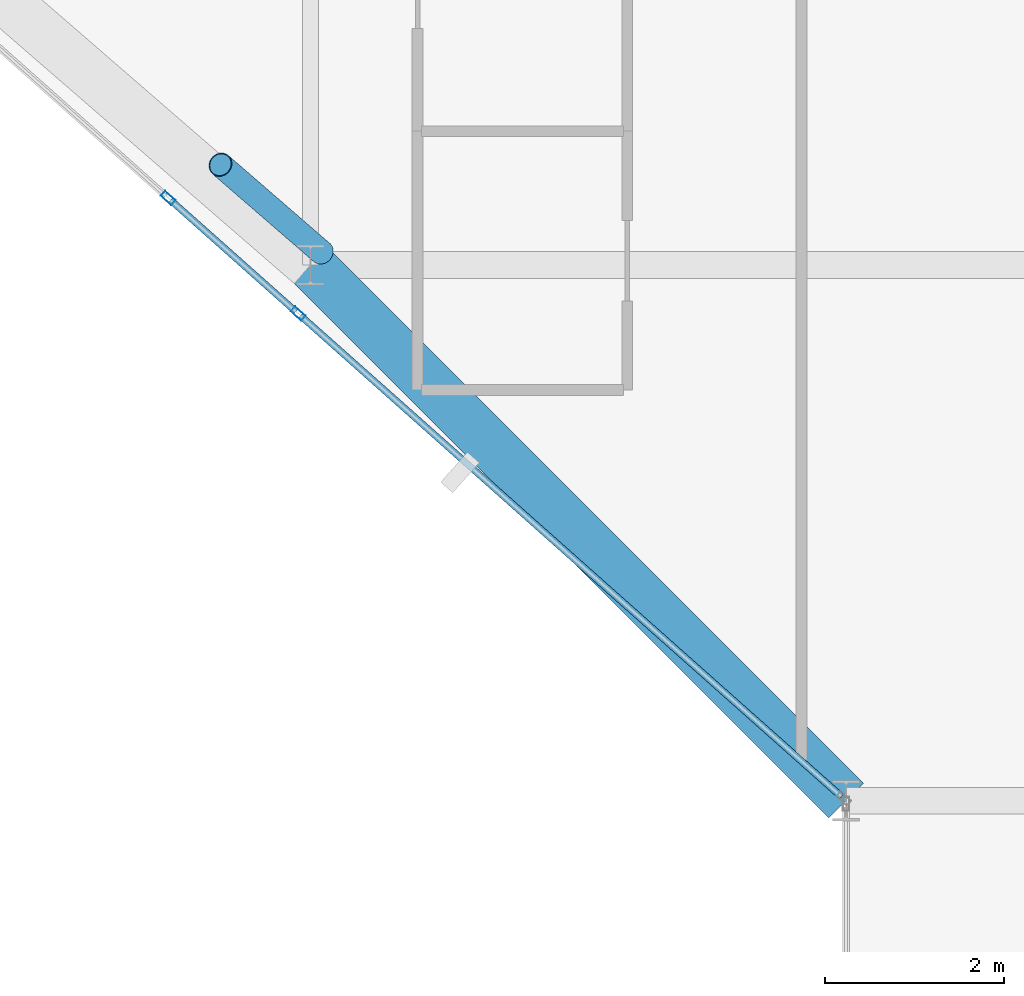
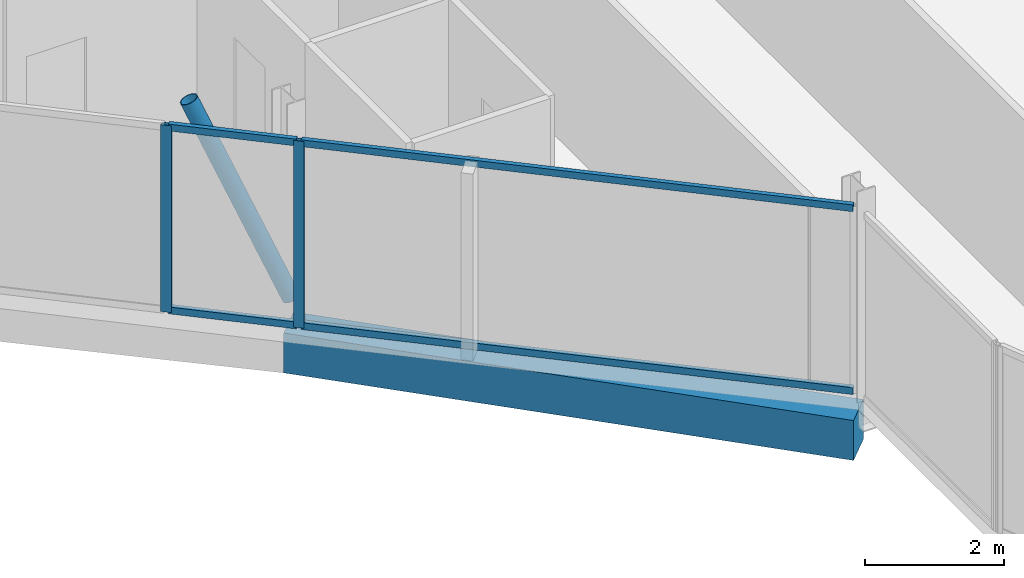
# One storey, part 4 of 28: 7 members, 1 beam, 2 elements without a shape of their own.
"""IFC4 building model written with IfcOpenShell, lengths in metres."""

from ifc_helpers import new_model, si_unit, direction, frame, origin, origin_2d, place, context, subcontext, project, spatial, rectangle, hollow_rectangle, hollow_circle, extrude, material, layer, layer_set, material_profile, profile_set, type_object, element, aggregate, save


model = new_model("IFC4")

# Units and contexts
model_context = context("Model", 3, precision=1e-05, world=origin(), true_north=direction((0.0, 1.0)))
body_context = subcontext(model_context, "Body", "Model", "MODEL_VIEW")
ifc_project = project(units=[si_unit("LENGTHUNIT", "METRE"), si_unit("AREAUNIT", "SQUARE_METRE"), si_unit("VOLUMEUNIT", "CUBIC_METRE"), si_unit("PLANEANGLEUNIT", "RADIAN"), si_unit("MASSUNIT", "GRAM", prefix="KILO")], contexts=[model_context])

# Site, building, storey
site_placement = place(None, origin())
site = spatial("IfcSite", under=ifc_project, at=site_placement, CompositionType="ELEMENT")
building_placement = place(site_placement, origin())
building = spatial("IfcBuilding", under=site, at=building_placement, Name="Keshet Zoharim Tower", CompositionType="ELEMENT")
storey_placement = place(building_placement, frame((0.0, 0.0, 233.89990234375)))
storey = spatial("IfcBuildingStorey", under=building, at=storey_placement, Name="L58", CompositionType="ELEMENT", Elevation=233.89990234375)

# Beam
ifc_material_1 = material(Name="Concrete C50/60", Category="concrete")
ifc_material_profile_1 = material_profile(ifc_material_1, rectangle(XDim=0.550048828125, YDim=0.699951171875, at=origin_2d()), Name="RC700x550")
ifc_profile_set_1 = profile_set([ifc_material_profile_1], Name="Concrete C50/60")
beam_type = type_object("IfcBeamType", Name="BM-SPN-700", PredefinedType="SPANDREL", material=ifc_profile_set_1)
beam_placement = place(storey_placement, frame((21.0, 6.699951171875, -0.659912109375), z_axis=(-0.707106781187, 0.707106781187, 0.0), x_axis=(-0.707106781187, -0.707106781187, 0.0)))
element("IfcBeam", 1, at=beam_placement, inside=storey, type_object=beam_type, Name="L58 Perimeter Spandrel Beam 01", PredefinedType="SPANDREL", context=body_context, shape_type="SweptSolid", body=[
    extrude(rectangle(XDim=0.550048828125, YDim=0.699951171875, at=origin_2d()), origin(), (0.0, 0.0, 1.0), 8.4853515625),
])

# Curtain wall, member
ifc_material_2 = material(Name="Aluminium 6063-T6", Category="aluminium")
ifc_layer = layer(ifc_material_2, 0.139892578125)
ifc_layer_set = layer_set([ifc_layer], Name="Aluminium 6063-T6")
curtain_wall_type = type_object("IfcCurtainWallType", Name="CW-SYS-05", PredefinedType="NOTDEFINED", material=ifc_layer_set)
curtain_wall_1_placement = place(storey_placement, origin())
curtain_wall_1 = element("IfcCurtainWall", 2, at=curtain_wall_1_placement, inside=storey, type_object=curtain_wall_type, Name="L58 Unitised Curtain Wall 10", PredefinedType="NOTDEFINED")
ifc_material_profile_2 = material_profile(ifc_material_2, hollow_rectangle(XDim=0.074951171875, YDim=0.159912109375, WallThickness=0.00390625, at=origin_2d()), Name="MUL-75x160")
ifc_profile_set_2 = profile_set([ifc_material_profile_2], Name="Aluminium 6063-T6")
member_type_1 = type_object("IfcMemberType", Name="CWM-M15", PredefinedType="MULLION", material=ifc_profile_set_2)
member_1_placement = place(storey_placement, frame((14.862548828125, 12.155517578125, 0.0), z_axis=(0.0, 0.0, 1.0), x_axis=(-0.664366849455, -0.747406642562, 0.0)))
member_1 = element("IfcMember", 3, at=member_1_placement, type_object=member_type_1, Name="CW-05 mullion 2", PredefinedType="MULLION", context=body_context, shape_type="SweptSolid", body=[
    extrude(hollow_rectangle(XDim=0.074951171875, YDim=0.159912109375, WallThickness=0.00390625, at=origin_2d()), origin(), (0.0, 0.0, 1.0), 3.280029296875),
])

curtain_wall_2_placement = place(storey_placement, origin())
curtain_wall_2 = element("IfcCurtainWall", 4, at=curtain_wall_2_placement, inside=storey, type_object=curtain_wall_type, Name="L58 Unitised Curtain Wall 10 Part 2", PredefinedType="NOTDEFINED")
member_2_placement = place(storey_placement, frame((13.40625, 13.449951171875, 0.0), z_axis=(0.0, 0.0, 1.0), x_axis=(-0.6643351656, -0.747434805014, 0.0)))
member_2 = element("IfcMember", 5, at=member_2_placement, type_object=member_type_1, Name="CW-05 mullion 2", PredefinedType="MULLION", context=body_context, shape_type="SweptSolid", body=[
    extrude(hollow_rectangle(XDim=0.074951171875, YDim=0.159912109375, WallThickness=0.00390625, at=origin_2d()), origin(), (0.0, 0.0, 1.0), 3.280029296875),
])

# Member
ifc_material_profile_3 = material_profile(ifc_material_2, hollow_rectangle(XDim=0.074951171875, YDim=0.1201171875, WallThickness=0.00390625, at=origin_2d()), Name="TRN-75x120")
ifc_profile_set_3 = profile_set([ifc_material_profile_3], Name="Aluminium 6063-T6")
member_type_2 = type_object("IfcMemberType", Name="CWT-T12", PredefinedType="USERDEFINED", material=ifc_profile_set_3)
member_3_placement = place(storey_placement, frame((20.94775390625, 6.74658203125, 0.03515625), z_axis=(-0.74741596491, 0.66435636175, 0.0), x_axis=(-0.66435636175, -0.74741596491, 0.0)))
member_3 = element("IfcMember", 6, at=member_3_placement, type_object=member_type_2, Name="CW-05 transom 1.1", ObjectType="TRANSOM", PredefinedType="USERDEFINED", context=body_context, shape_type="SweptSolid", body=[
    extrude(hollow_rectangle(XDim=0.074951171875, YDim=0.1201171875, WallThickness=0.00390625, at=origin_2d()), origin(), (0.0, 0.0, 1.0), 8.106689453125),
])

member_4_placement = place(storey_placement, frame((20.94775390625, 6.74658203125, 3.2451171875), z_axis=(-0.74741596491, 0.66435636175, 0.0), x_axis=(-0.66435636175, -0.74741596491, 0.0)))
member_4 = element("IfcMember", 7, at=member_4_placement, type_object=member_type_2, Name="CW-05 transom 1.2", ObjectType="TRANSOM", PredefinedType="USERDEFINED", context=body_context, shape_type="SweptSolid", body=[
    extrude(hollow_rectangle(XDim=0.074951171875, YDim=0.1201171875, WallThickness=0.00390625, at=origin_2d()), origin(), (0.0, 0.0, 1.0), 8.106689453125),
])

aggregate(curtain_wall_1, [member_1, member_3, member_4])

member_5_placement = place(storey_placement, frame((14.83642578125, 12.1787109375, 0.03515625), z_axis=(-0.747416490253, 0.664355770727, 0.0), x_axis=(-0.664355770727, -0.747416490253, 0.0)))
member_5 = element("IfcMember", 8, at=member_5_placement, type_object=member_type_2, Name="CW-05 transom 1.1", ObjectType="TRANSOM", PredefinedType="USERDEFINED", context=body_context, shape_type="SweptSolid", body=[
    extrude(hollow_rectangle(XDim=0.074951171875, YDim=0.1201171875, WallThickness=0.00390625, at=origin_2d()), origin(), (0.0, 0.0, 1.0), 1.878173828125),
])

member_6_placement = place(storey_placement, frame((14.83642578125, 12.1787109375, 3.2451171875), z_axis=(-0.747416490253, 0.664355770727, 0.0), x_axis=(-0.664355770727, -0.747416490253, 0.0)))
member_6 = element("IfcMember", 9, at=member_6_placement, type_object=member_type_2, Name="CW-05 transom 1.2", ObjectType="TRANSOM", PredefinedType="USERDEFINED", context=body_context, shape_type="SweptSolid", body=[
    extrude(hollow_rectangle(XDim=0.074951171875, YDim=0.1201171875, WallThickness=0.00390625, at=origin_2d()), origin(), (0.0, 0.0, 1.0), 1.878173828125),
])

aggregate(curtain_wall_2, [member_2, member_5, member_6])

ifc_material_3 = material(Name="Steel S355", Category="steel")
ifc_material_profile_4 = material_profile(ifc_material_3, hollow_circle(Radius=0.136474609375, WallThickness=0.010009765625, at=origin_2d()), Name="CHS273x10")
ifc_profile_set_4 = profile_set([ifc_material_profile_4], Name="Steel S355")
member_type_3 = type_object("IfcMemberType", Name="MB-BR-C273", PredefinedType="BRACE", material=ifc_profile_set_4)
member_7_placement = place(storey_placement, frame((15.1259765625, 12.842041015625, 0.0), z_axis=(-0.314417613446, 0.272247070243, 0.909408102614), x_axis=(-0.654589683411, -0.755984355904, 0.0)))
element("IfcMember", 10, at=member_7_placement, inside=storey, type_object=member_type_3, Name="L58 Perimeter Tube Brace 01", PredefinedType="BRACE", context=body_context, shape_type="SweptSolid", body=[
    extrude(hollow_circle(Radius=0.136474609375, WallThickness=0.010009765625, at=origin_2d()), origin(), (0.0, 0.0, 1.0), 3.606689453125),
])

save(model, "model.ifc")
